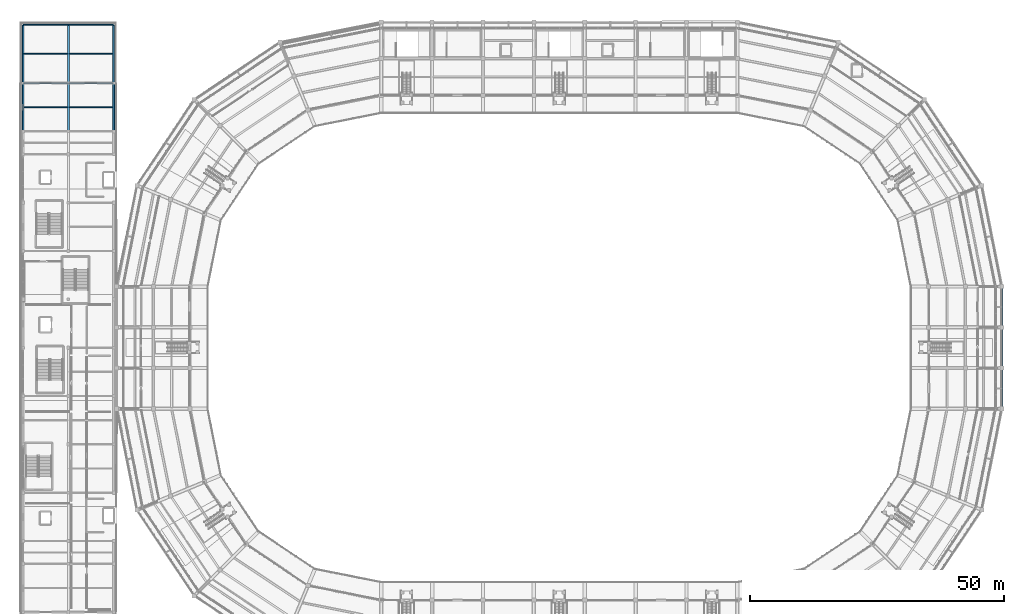
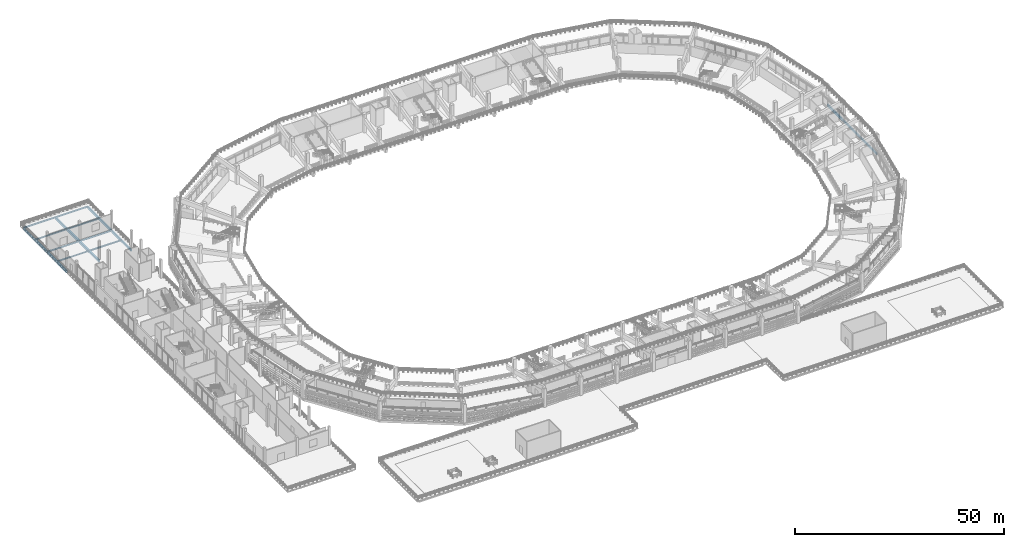
# One storey, part 39 of 96: 17 beams.
"""IFC4 building model written with IfcOpenShell, lengths in metres."""

from ifc_helpers import new_model, si_unit, direction, frame, origin, origin_2d, place, context, subcontext, project, spatial, rectangle, i_section, extrude, material, material_profile, profile_set, type_object, element, save


model = new_model("IFC4")

# Units and contexts
model_context = context("Model", 3, precision=1e-05, world=origin(), true_north=direction((0.0, 1.0)))
body_context = subcontext(model_context, "Body", "Model", "MODEL_VIEW")
ifc_project = project(units=[si_unit("LENGTHUNIT", "METRE"), si_unit("AREAUNIT", "SQUARE_METRE"), si_unit("VOLUMEUNIT", "CUBIC_METRE"), si_unit("PLANEANGLEUNIT", "RADIAN"), si_unit("MASSUNIT", "GRAM", prefix="KILO")], contexts=[model_context])

# Site, building, storey
site_placement = place(None, origin())
site = spatial("IfcSite", under=ifc_project, at=site_placement, CompositionType="ELEMENT")
building_placement = place(site_placement, origin())
building = spatial("IfcBuilding", under=site, at=building_placement, Name="Candeia Ridge Stadium", CompositionType="ELEMENT")
storey_placement = place(building_placement, frame((0.0, 0.0, 21.60009765625)))
storey = spatial("IfcBuildingStorey", under=building, at=storey_placement, Name="L04", CompositionType="ELEMENT", Elevation=21.60009765625)

# Beams
ifc_material_1 = material(Name="Steel ASTM A572 Grade 50", Category="steel")
ifc_material_profile_1 = material_profile(ifc_material_1, i_section(OverallWidth=0.1669921875, OverallDepth=0.31689453125, WebThickness=0.007568359375, FlangeThickness=0.01318359375, FilletRadius=0.011962890625, at=origin_2d()), Name="W310x52", Category="steel")
ifc_profile_set_1 = profile_set([ifc_material_profile_1], Name="Steel ASTM A572 Grade 50")
beam_type_1 = type_object("IfcBeamType", Name="Pavilion Secondary Joist W310x52", PredefinedType="JOIST", material=ifc_profile_set_1)
for number, where, z_axis, x_axis, name in (
    (1, (0.7744140625, 130.25, -0.418701171875), (1.0, 0.0, 0.0), (0.0, 1.0, 0.0), "Wing secondary joist BM-L04-1325"),
    (2, (0.7744140625, 140.75, -0.4287109375), (1.0, 0.0, 0.0), (0.0, 1.0, 0.0), "Wing secondary joist BM-L04-1327"),
    (3, (9.699462890625, 130.25, -0.418701171875), (1.0, 0.0, 0.0), (0.0, 1.0, 0.0), "Wing secondary joist BM-L04-1349"),
    (4, (9.699462890625, 140.75, -0.4287109375), (1.0, 0.0, 0.0), (0.0, 1.0, 0.0), "Wing secondary joist BM-L04-1351"),
):
    element("IfcBeam", number, at=place(storey_placement, frame(where, z_axis=z_axis, x_axis=x_axis)), inside=storey, type_object=beam_type_1, Name=name, PredefinedType="JOIST", context=body_context, shape_type="SweptSolid", body=[
        extrude(i_section(OverallWidth=0.1669921875, OverallDepth=0.31689453125, WebThickness=0.007568359375, FlangeThickness=0.01318359375, FilletRadius=0.011962890625, at=origin_2d()), origin(), (0.0, 0.0, 1.0), 8.526123046875),
    ])
ifc_material_profile_2 = material_profile(ifc_material_1, i_section(OverallWidth=0.18994140625, OverallDepth=0.45703125, WebThickness=0.009033203125, FlangeThickness=0.014404296875, FilletRadius=0.012939453125, at=origin_2d()), Name="W460x74", Category="steel")
ifc_profile_set_2 = profile_set([ifc_material_profile_2], Name="Steel ASTM A572 Grade 50")
beam_type_2 = type_object("IfcBeamType", Name="Pavilion Steel Girder W460x74", PredefinedType="BEAM", material=ifc_profile_set_2)
for number, where, z_axis, x_axis, name in (
    (5, (0.64990234375, 135.0, -0.49853515625), (1.0, 0.0, 0.0), (0.0, 1.0, 0.0), "Structural girder BM-L04-1326"),
    (6, (0.64990234375, 146.5, -0.49853515625), (1.0, 0.0, 0.0), (0.0, 1.0, 0.0), "Structural girder BM-L04-1328"),
    (7, (9.550048828125, 135.0, -0.49853515625), (1.0, 0.0, 0.0), (0.0, 1.0, 0.0), "Structural girder BM-L04-1350"),
    (8, (9.550048828125, 146.5, -0.49853515625), (1.0, 0.0, 0.0), (0.0, 1.0, 0.0), "Structural girder BM-L04-1352"),
):
    element("IfcBeam", number, at=place(storey_placement, frame(where, z_axis=z_axis, x_axis=x_axis)), inside=storey, type_object=beam_type_2, Name=name, PredefinedType="BEAM", context=body_context, shape_type="SweptSolid", body=[
        extrude(i_section(OverallWidth=0.18994140625, OverallDepth=0.45703125, WebThickness=0.009033203125, FlangeThickness=0.014404296875, FilletRadius=0.012939453125, at=origin_2d()), origin(), (0.0, 0.0, 1.0), 8.800048828125),
    ])
ifc_material_2 = material(Name="Concrete C40/50", Category="concrete")
ifc_material_profile_3 = material_profile(ifc_material_2, rectangle(XDim=0.320068359375, YDim=0.6201171875, at=origin_2d()), Name="RC320x620", Category="concrete")
ifc_profile_set_3 = profile_set([ifc_material_profile_3], Name="Concrete C40/50")
beam_type_3 = type_object("IfcBeamType", Name="Spandrel Beam RC320x620", PredefinedType="SPANDREL", material=ifc_profile_set_3)
for number, where, z_axis, x_axis, name in (
    (9, (193.0, 71.159912109375, -0.570068359375), (0.0, 1.0, 0.0), (-1.0, 0.0, 0.0), "Bowl perimeter spandrel BM-L04-0929"),
    (10, (193.0, 79.159912109375, -0.570068359375), (0.0, 1.0, 0.0), (-1.0, 0.0, 0.0), "Bowl perimeter spandrel BM-L04-0934"),
    (11, (193.0, 87.159912109375, -0.570068359375), (0.0, 1.0, 0.0), (-1.0, 0.0, 0.0), "Bowl perimeter spandrel BM-L04-0939"),
):
    element("IfcBeam", number, at=place(storey_placement, frame(where, z_axis=z_axis, x_axis=x_axis)), inside=storey, type_object=beam_type_3, Name=name, PredefinedType="SPANDREL", context=body_context, shape_type="SweptSolid", body=[
        extrude(rectangle(XDim=0.320068359375, YDim=0.6201171875, at=origin_2d()), origin(), (0.0, 0.0, 1.0), 7.68017578125),
    ])
ifc_material_profile_4 = material_profile(ifc_material_2, rectangle(XDim=0.35009765625, YDim=0.64990234375, at=origin_2d()), Name="RC350x650", Category="concrete")
ifc_profile_set_4 = profile_set([ifc_material_profile_4], Name="Concrete C40/50")
beam_type_4 = type_object("IfcBeamType", Name="Spandrel Beam RC350x650", PredefinedType="SPANDREL", material=ifc_profile_set_4)
beam_1_placement = place(storey_placement, frame((0.60009765625, 125.659912109375, -0.59521484375), z_axis=(0.0, 1.0, 0.0), x_axis=(-1.0, 0.0, 0.0)))
element("IfcBeam", 12, at=beam_1_placement, inside=storey, type_object=beam_type_4, Name="Structural girder BM-L04-1285", PredefinedType="SPANDREL", context=body_context, shape_type="SweptSolid", body=[
    extrude(rectangle(XDim=0.35009765625, YDim=0.64990234375, at=origin_2d()), origin(), (0.0, 0.0, 1.0), 9.18017578125),
])
beam_2_placement = place(storey_placement, frame((0.60009765625, 135.159912109375, -0.59521484375), z_axis=(0.0, 1.0, 0.0), x_axis=(-1.0, 0.0, 0.0)))
element("IfcBeam", 13, at=beam_2_placement, inside=storey, type_object=beam_type_4, Name="Structural girder BM-L04-1286", PredefinedType="SPANDREL", context=body_context, shape_type="SweptSolid", body=[
    extrude(rectangle(XDim=0.35009765625, YDim=0.64990234375, at=origin_2d()), origin(), (0.0, 0.0, 1.0), 11.18017578125),
])
beam_3_placement = place(storey_placement, frame((18.39990234375, 125.659912109375, -0.59521484375), z_axis=(0.0, 1.0, 0.0), x_axis=(-1.0, 0.0, 0.0)))
element("IfcBeam", 14, at=beam_3_placement, inside=storey, type_object=beam_type_4, Name="Structural girder BM-L04-1309", PredefinedType="SPANDREL", context=body_context, shape_type="SweptSolid", body=[
    extrude(rectangle(XDim=0.35009765625, YDim=0.64990234375, at=origin_2d()), origin(), (0.0, 0.0, 1.0), 9.18017578125),
])
beam_4_placement = place(storey_placement, frame((18.39990234375, 135.159912109375, -0.59521484375), z_axis=(0.0, 1.0, 0.0), x_axis=(-1.0, 0.0, 0.0)))
element("IfcBeam", 15, at=beam_4_placement, inside=storey, type_object=beam_type_4, Name="Structural girder BM-L04-1310", PredefinedType="SPANDREL", context=body_context, shape_type="SweptSolid", body=[
    extrude(rectangle(XDim=0.35009765625, YDim=0.64990234375, at=origin_2d()), origin(), (0.0, 0.0, 1.0), 11.18017578125),
])
ifc_material_profile_5 = material_profile(ifc_material_2, rectangle(XDim=0.39990234375, YDim=0.64990234375, at=origin_2d()), Name="RC400x650", Category="concrete")
ifc_profile_set_5 = profile_set([ifc_material_profile_5], Name="Concrete C40/50")
beam_type_5 = type_object("IfcBeamType", Name="Wing Primary Girder RC400x650", PredefinedType="BEAM", material=ifc_profile_set_5)
beam_5_placement = place(storey_placement, frame((9.5, 125.550048828125, -0.59521484375), z_axis=(0.0, 1.0, 0.0), x_axis=(-1.0, 0.0, 0.0)))
element("IfcBeam", 16, at=beam_5_placement, inside=storey, type_object=beam_type_5, Name="Structural girder BM-L04-1297", PredefinedType="BEAM", context=body_context, shape_type="SweptSolid", body=[
    extrude(rectangle(XDim=0.39990234375, YDim=0.64990234375, at=origin_2d()), origin(), (0.0, 0.0, 1.0), 9.39990234375),
])
beam_6_placement = place(storey_placement, frame((9.5, 135.050048828125, -0.59521484375), z_axis=(0.0, 1.0, 0.0), x_axis=(-1.0, 0.0, 0.0)))
element("IfcBeam", 17, at=beam_6_placement, inside=storey, type_object=beam_type_5, Name="Structural girder BM-L04-1298", PredefinedType="BEAM", context=body_context, shape_type="SweptSolid", body=[
    extrude(rectangle(XDim=0.39990234375, YDim=0.64990234375, at=origin_2d()), origin(), (0.0, 0.0, 1.0), 11.39990234375),
])

save(model, "model.ifc")
